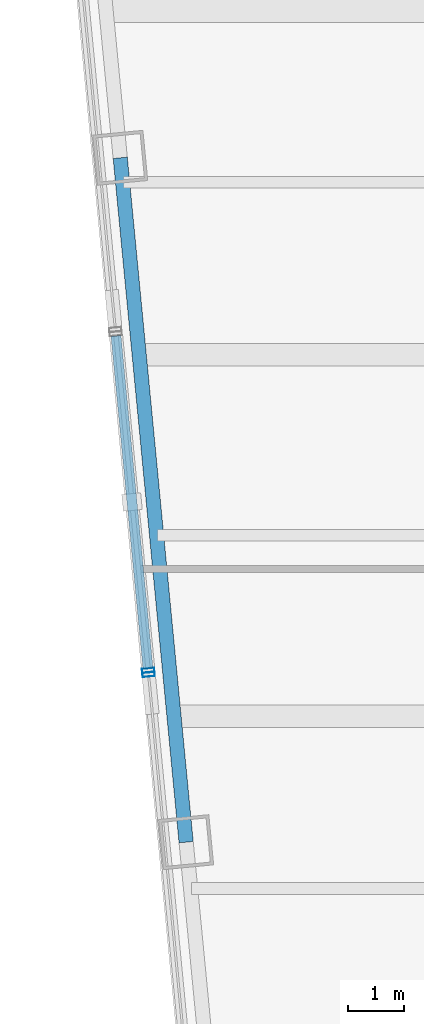
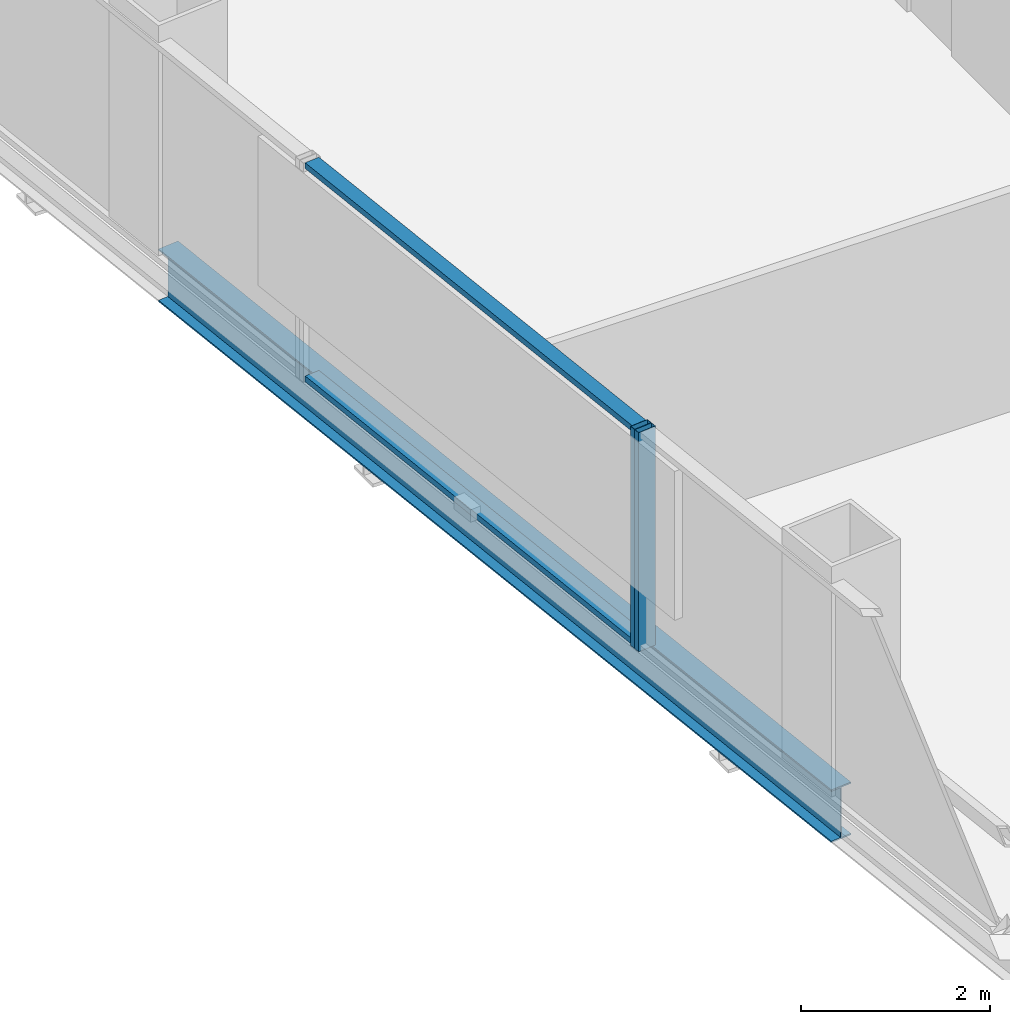
# One storey, part 9 of 34: 4 members, 1 beam, 2 elements without a shape of their own.
"""IFC4 building model written with IfcOpenShell, lengths in metres."""

from ifc_helpers import new_model, si_unit, direction, frame, origin, origin_2d, place, context, subcontext, project, spatial, hollow_rectangle, i_section, extrude, material, layer, layer_set, material_profile, profile_set, type_object, element, aggregate, save


model = new_model("IFC4")

# Units and contexts
model_context = context("Model", 3, precision=1e-05, world=origin(), true_north=direction((0.0, 1.0)))
body_context = subcontext(model_context, "Body", "Model", "MODEL_VIEW")
ifc_project = project(units=[si_unit("LENGTHUNIT", "METRE"), si_unit("AREAUNIT", "SQUARE_METRE"), si_unit("VOLUMEUNIT", "CUBIC_METRE"), si_unit("PLANEANGLEUNIT", "RADIAN"), si_unit("MASSUNIT", "GRAM", prefix="KILO")], contexts=[model_context])

# Site, building, storey
site_placement = place(None, origin())
site = spatial("IfcSite", under=ifc_project, at=site_placement, CompositionType="ELEMENT")
building_placement = place(site_placement, origin())
building = spatial("IfcBuilding", under=site, at=building_placement, Name="Qhalaya Broadcast Tower", CompositionType="ELEMENT")
storey_placement = place(building_placement, frame((0.0, 0.0, 78.60009765625)))
storey = spatial("IfcBuildingStorey", under=building, at=storey_placement, Name="L22", CompositionType="ELEMENT", Elevation=78.60009765625)

# Beam
ifc_material_1 = material(Name="Structural Steel ASTM A992 Grade 50", Category="steel")
ifc_material_profile_1 = material_profile(ifc_material_1, i_section(OverallWidth=0.25390625, OverallDepth=0.68310546875, WebThickness=0.012451171875, FlangeThickness=0.01904296875, at=origin_2d()), Name="W27X94")
ifc_profile_set_1 = profile_set([ifc_material_profile_1], Name="Structural Steel ASTM A992 Grade 50")
beam_type = type_object("IfcBeamType", Name="Perimeter Ring Spandrel Beam SP1", PredefinedType="SPANDREL", material=ifc_profile_set_1)
beam_placement = place(storey_placement, frame((-21.036865234375, 7.335205078125, -0.5615234375), z_axis=(0.095851586307, -0.99539563662, 0.0), x_axis=(0.99539563662, 0.095851586307, 0.0)))
element("IfcBeam", 1, at=beam_placement, inside=storey, type_object=beam_type, Name="L22 SP1 L22-SPR-14", PredefinedType="SPANDREL", context=body_context, shape_type="SweptSolid", body=[
    extrude(i_section(OverallWidth=0.25390625, OverallDepth=0.68310546875, WebThickness=0.012451171875, FlangeThickness=0.01904296875, at=origin_2d()), origin(), (0.0, 0.0, 1.0), 12.2666015625),
])

# Curtain wall, member
ifc_material_2 = material(Name="Fired Architectural Terracotta", Category="masonry")
ifc_layer_1 = layer(ifc_material_2, 0.219970703125, Name="Fired Architectural Terracotta")
ifc_layer_set_1 = layer_set([ifc_layer_1], Name="Fired Architectural Terracotta")
curtain_wall_type_1 = type_object("IfcCurtainWallType", Name="Block-Cap Unitised Terracotta Spandrel Wall CW-07", PredefinedType="NOTDEFINED", material=ifc_layer_set_1)
curtain_wall_1_placement = place(storey_placement, origin())
curtain_wall_1 = element("IfcCurtainWall", 2, at=curtain_wall_1_placement, inside=storey, type_object=curtain_wall_type_1, Name="L22 Unitised Curtain Wall L22-CW-W4", PredefinedType="NOTDEFINED")
ifc_material_3 = material(Name="Anodised Aluminium 6063-T6", Category="aluminium")
ifc_material_profile_2 = material_profile(ifc_material_3, hollow_rectangle(XDim=0.074951171875, YDim=0.219970703125, WallThickness=0.00390625, at=origin_2d()), Name="ALU-MUL 75x220x4")
ifc_profile_set_2 = profile_set([ifc_material_profile_2], Name="Anodised Aluminium 6063-T6")
member_type_1 = type_object("IfcMemberType", Name="Unitised Curtain-Wall Mullion M01", PredefinedType="MULLION", material=ifc_profile_set_2)
member_1_placement = place(storey_placement, frame((-20.5380859375, -1.808837890625, 0.0), z_axis=(0.0, 0.0, 1.0), x_axis=(0.095841245509, -0.995396632333, 0.0)))
member_1 = element("IfcMember", 3, at=member_1_placement, type_object=member_type_1, Name="CW-07 mullion 2", PredefinedType="MULLION", context=body_context, shape_type="SweptSolid", body=[
    extrude(hollow_rectangle(XDim=0.074951171875, YDim=0.219970703125, WallThickness=0.00390625, at=origin_2d()), origin(), (0.0, 0.0, 1.0), 2.829833984375),
])

ifc_material_4 = material(Name="Solar-Control Low-E Triple Glazing", Category="glass")
ifc_layer_2 = layer(ifc_material_4, 0.219970703125, Name="Solar-Control Low-E Triple Glazing")
ifc_layer_set_2 = layer_set([ifc_layer_2], Name="Solar-Control Low-E Triple Glazing")
curtain_wall_type_2 = type_object("IfcCurtainWallType", Name="Even-Block 4-Storey Double-Module Curtain Wall CW-03", PredefinedType="NOTDEFINED", material=ifc_layer_set_2)
curtain_wall_2_placement = place(storey_placement, origin())
curtain_wall_2 = element("IfcCurtainWall", 4, at=curtain_wall_2_placement, inside=storey, type_object=curtain_wall_type_2, Name="L22 Unitised Curtain Wall L22-CW-W5", PredefinedType="NOTDEFINED")
member_2_placement = place(storey_placement, frame((-20.531005859375, -1.883544921875, 0.0), z_axis=(0.0, 0.0, 1.0), x_axis=(0.095852453314, -0.995395553131, 0.0)))
member_2 = element("IfcMember", 5, at=member_2_placement, type_object=member_type_1, Name="CW-03 mullion 1", PredefinedType="MULLION", context=body_context, shape_type="SweptSolid", body=[
    extrude(hollow_rectangle(XDim=0.074951171875, YDim=0.219970703125, WallThickness=0.00390625, at=origin_2d()), origin(), (0.0, 0.0, 1.0), 2.829833984375),
])
aggregate(curtain_wall_2, [member_2])

# Member
ifc_material_profile_3 = material_profile(ifc_material_3, hollow_rectangle(XDim=0.074951171875, YDim=0.179931640625, WallThickness=0.00390625, at=origin_2d()), Name="ALU-TRN 75x180x4")
ifc_profile_set_3 = profile_set([ifc_material_profile_3], Name="Anodised Aluminium 6063-T6")
member_type_2 = type_object("IfcMemberType", Name="Unitised Curtain-Wall Transom T01", PredefinedType="USERDEFINED", material=ifc_profile_set_3)
member_3_placement = place(storey_placement, frame((-21.11279296875, 4.158935546875, 0.037353515625), z_axis=(0.095847487433, -0.995396031313, 0.0), x_axis=(0.0, 0.0, 1.0)))
member_3 = element("IfcMember", 6, at=member_3_placement, type_object=member_type_2, Name="CW-07 transom 1.1", ObjectType="TRANSOM", PredefinedType="USERDEFINED", context=body_context, shape_type="SweptSolid", body=[
    extrude(hollow_rectangle(XDim=0.074951171875, YDim=0.179931640625, WallThickness=0.00390625, at=origin_2d()), origin(), (0.0, 0.0, 1.0), 5.957763671875),
])

member_4_placement = place(storey_placement, frame((-21.11279296875, 4.158935546875, 2.79248046875), z_axis=(0.095847487433, -0.995396031313, 0.0), x_axis=(0.0, 0.0, 1.0)))
member_4 = element("IfcMember", 7, at=member_4_placement, type_object=member_type_2, Name="CW-07 transom 1.2", ObjectType="TRANSOM", PredefinedType="USERDEFINED", context=body_context, shape_type="SweptSolid", body=[
    extrude(hollow_rectangle(XDim=0.074951171875, YDim=0.179931640625, WallThickness=0.00390625, at=origin_2d()), origin(), (0.0, 0.0, 1.0), 5.957763671875),
])

aggregate(curtain_wall_1, [member_1, member_3, member_4])

save(model, "model.ifc")
